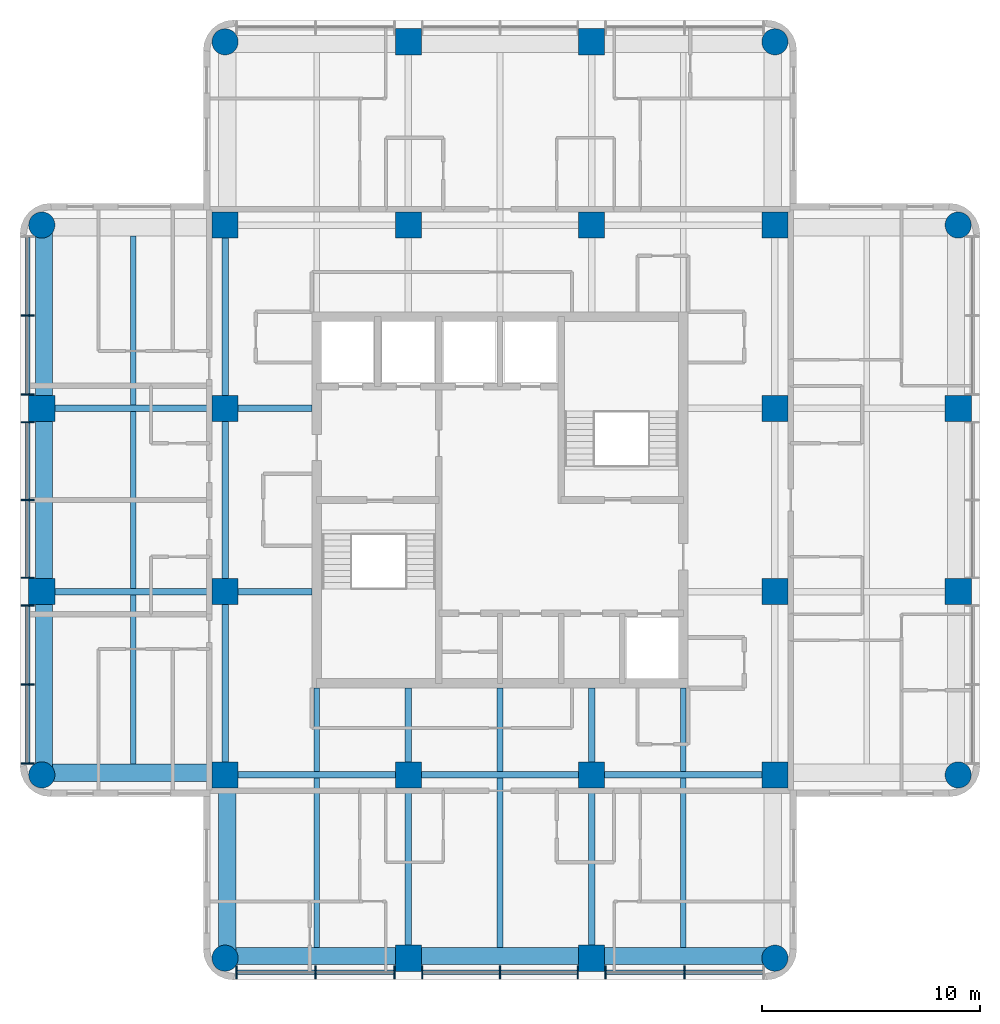
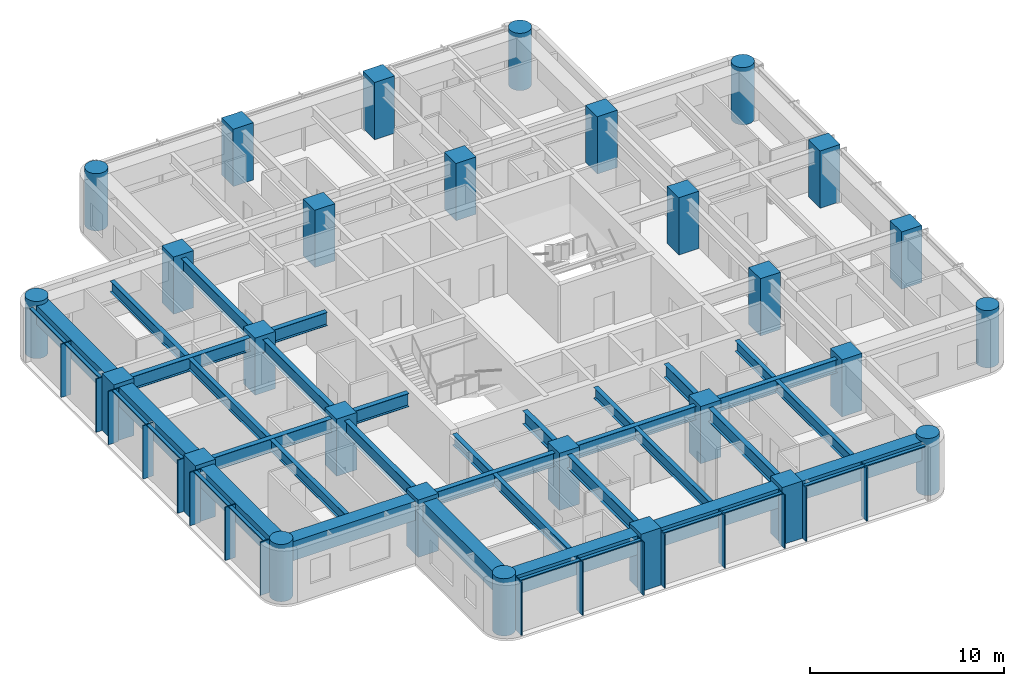
# One storey, part 1 of 10: 31 beams, 28 columns, 28 members, 2 elements without a shape of their own.
"""IFC4 building model written with IfcOpenShell, lengths in metres."""

import ifcopenshell
import ifcopenshell.guid

model = None  # the IFC model being written
_history = None  # IfcOwnerHistory: only IFC2X3 demands one
_inside = {}  # id of a spatial element -> (the spatial element, [elements in it])
_under = {}  # id of a project, library or spatial element -> (it, [spatial elements below it])
_declared = {}  # id of a project -> (the project, [libraries it declares])
_typed = {}  # id of a type object -> (the type object, [elements of that type])
_made_of = {}  # id of a material, layer set ... -> (it, [elements and type objects made of it])


def new_model(schema):
    """Start an empty IFC model of exactly this schema.

    Asked for "IFC4X3", IfcOpenShell would pick the latest addendum, in which some entities
    have other attributes; the version numbers below select the first issue.
    IFC2X3 requires an IfcOwnerHistory on every rooted entity: one is made here for all.
    """
    global model, _history
    if schema == "IFC4X3":
        model = ifcopenshell.file(schema_version=(4, 3, 0, 0))
    else:
        model = ifcopenshell.file(schema=schema)
    _inside.clear()
    _under.clear()
    _declared.clear()
    _typed.clear()
    _made_of.clear()
    _history = None
    if model.schema == "IFC2X3":
        org = make("IfcOrganization", Name="unknown")
        user = make(
            "IfcPersonAndOrganization",
            ThePerson=make("IfcPerson", FamilyName="unknown"),
            TheOrganization=org,
        )
        app = make(
            "IfcApplication",
            ApplicationDeveloper=org,
            Version="unknown",
            ApplicationFullName="unknown",
            ApplicationIdentifier="unknown",
        )
        _history = make(
            "IfcOwnerHistory",
            OwningUser=user,
            OwningApplication=app,
            ChangeAction="ADDED",
            CreationDate=0,
        )
    return model


def make(cls, **values):
    """One entity of the class cls with the attributes given. An attribute that is None is left unset."""
    return model.create_entity(
        cls, **{name: value for name, value in values.items() if value is not None}
    )


def rooted(cls, **values):
    """An entity with a GlobalId (a new one), such as an element, a storey or a relation."""
    return make(cls, GlobalId=ifcopenshell.guid.new(), OwnerHistory=_history, **values)


def si_unit(unit_type, name, prefix=None):
    """IfcSIUnit, for example si_unit("LENGTHUNIT", "METRE", prefix="MILLI")."""
    return make("IfcSIUnit", UnitType=unit_type, Prefix=prefix, Name=name)


def assignment(units):
    """IfcUnitAssignment: the units of a project."""
    return None if units is None else make("IfcUnitAssignment", Units=units)


def point(xyz):
    """IfcCartesianPoint."""
    return None if xyz is None else make("IfcCartesianPoint", Coordinates=xyz)


def direction(xyz):
    """IfcDirection."""
    return None if xyz is None else make("IfcDirection", DirectionRatios=xyz)


def frame(location, z_axis=None, x_axis=None):
    """IfcAxis2Placement3D, a coordinate frame: its origin and axes. An axis left out is left unset."""
    return make(
        "IfcAxis2Placement3D",
        Location=point(location),
        Axis=direction(z_axis),
        RefDirection=direction(x_axis),
    )


def frame_2d(location, x_axis=None):
    """IfcAxis2Placement2D, a coordinate frame in the plane: its origin and x axis."""
    return make(
        "IfcAxis2Placement2D", Location=point(location), RefDirection=direction(x_axis)
    )


def origin():
    """The frame at (0, 0, 0) with its axes left unset."""
    return frame((0.0, 0.0, 0.0))


def origin_2d():
    """The frame at (0, 0) in the plane with its x axis left unset."""
    return frame_2d((0.0, 0.0))


def place(relative_to, where):
    """IfcLocalPlacement: puts the frame where relative to a parent placement (None: the world)."""
    return make(
        "IfcLocalPlacement", PlacementRelTo=relative_to, RelativePlacement=where
    )


def context(
    kind, dimensions, precision=None, world=None, true_north=None, identifier=None
):
    """IfcGeometricRepresentationContext, for example the 3D "Model" context."""
    return make(
        "IfcGeometricRepresentationContext",
        ContextIdentifier=identifier,
        ContextType=kind,
        CoordinateSpaceDimension=dimensions,
        Precision=precision,
        WorldCoordinateSystem=world,
        TrueNorth=true_north,
    )


def subcontext(parent, identifier, kind, view, scale=None):
    """IfcGeometricRepresentationSubContext, for example "Body" below "Model"."""
    return make(
        "IfcGeometricRepresentationSubContext",
        ContextIdentifier=identifier,
        ContextType=kind,
        ParentContext=parent,
        TargetScale=scale,
        TargetView=view,
    )


def project(units=None, contexts=None):
    """IfcProject with its units and contexts."""
    return rooted(
        "IfcProject",
        Name="project",
        RepresentationContexts=contexts,
        UnitsInContext=assignment(units),
    )


def spatial(cls, under=None, at=None, **own):
    """A site, building, storey or space (cls), placed at a placement, below another one or the project."""
    s = rooted(cls, ObjectPlacement=at, **own)
    if under is not None:
        _under.setdefault(under.id(), (under, []))[1].append(s)
    return s


def profile(cls, at=None, kind="AREA", **sizes):
    """A parametric profile (cls). Its sizes go by their IFC names, for example OverallWidth=200.0."""
    return make(cls, ProfileType=kind, Position=at, **sizes)


def rectangle(**sizes):
    """IfcRectangleProfileDef."""
    return profile("IfcRectangleProfileDef", **sizes)


def circle(**sizes):
    """IfcCircleProfileDef."""
    return profile("IfcCircleProfileDef", **sizes)


def i_section(**sizes):
    """IfcIShapeProfileDef."""
    return profile("IfcIShapeProfileDef", **sizes)


def extrude(swept, where, along, depth):
    """IfcExtrudedAreaSolid: the profile swept, set in the frame where, extruded along a direction by depth."""
    return make(
        "IfcExtrudedAreaSolid",
        SweptArea=swept,
        Position=where,
        ExtrudedDirection=direction(along),
        Depth=depth,
    )


def shape(context_of_items, identifier, shape_type, items):
    """IfcShapeRepresentation: the items that make up one representation, for example the "Body"."""
    return make(
        "IfcShapeRepresentation",
        ContextOfItems=context_of_items,
        RepresentationIdentifier=identifier,
        RepresentationType=shape_type,
        Items=items,
    )


def material(Name=None, Category=None):
    """IfcMaterial."""
    return make("IfcMaterial", Name=Name, Category=Category)


def material_profile(
    of_material, cross_section, Name=None, Category=None, Priority=None
):
    """IfcMaterialProfile: a cross section and its material."""
    return make(
        "IfcMaterialProfile",
        Name=Name,
        Material=of_material,
        Profile=cross_section,
        Priority=Priority,
        Category=Category,
    )


def profile_set(profiles, Name=None, composite=None):
    """IfcMaterialProfileSet."""
    return make(
        "IfcMaterialProfileSet",
        Name=Name,
        MaterialProfiles=profiles,
        CompositeProfile=composite,
    )


def made_of(thing, what):
    """Note that an element or type object is made of a material, layer set ...; save() writes the relation."""
    if what is not None:
        _made_of.setdefault(what.id(), (what, []))[1].append(thing)
    return thing


def type_object(cls, material=None, **own):
    """A type object (cls), such as IfcWallType, which elements share."""
    return made_of(rooted(cls, **own), material)


def element(
    cls,
    number,
    at=None,
    inside=None,
    cuts=None,
    type_object=None,
    material=None,
    context=None,
    identifier="Body",
    shape_type=None,
    held_by="IfcProductDefinitionShape",
    body=None,
    shapes=None,
    **own,
):
    """One element of the class cls, such as IfcWall. Its Tag is "e" and its number.

    at: its placement. inside: the storey or other place that contains it. cuts: it is an
    opening in that element (IfcRelVoidsElement). A single representation is given by context,
    identifier, shape_type and body (its items); several are given by shapes. held_by: the class
    of the entity that holds the representations. save() writes the other relations.
    """
    e = rooted(cls, Tag="e%d" % number, ObjectPlacement=at, **own)
    if body is not None:
        shapes = [shape(context, identifier, shape_type, body)]
    if shapes is not None:
        e.Representation = make(held_by, Representations=shapes)
    if inside is not None:
        _inside.setdefault(inside.id(), (inside, []))[1].append(e)
    if cuts is not None:
        rooted(
            "IfcRelVoidsElement", RelatingBuildingElement=cuts, RelatedOpeningElement=e
        )
    if type_object is not None:
        _typed.setdefault(type_object.id(), (type_object, []))[1].append(e)
    return made_of(e, material)


def aggregate(whole, parts):
    """IfcRelAggregates: a whole, such as a stair, and the parts it consists of."""
    return rooted("IfcRelAggregates", RelatingObject=whole, RelatedObjects=parts)


def save(model, path):
    """Write the relations noted so far, then the file.

    IfcRelAggregates (storeys below a building ...), IfcRelContainedInSpatialStructure (elements
    in a storey), IfcRelDefinesByType, IfcRelAssociatesMaterial and IfcRelDeclares: one each for
    every whole, place, type object, material and project.
    """
    for whole, parts in _under.values():
        aggregate(whole, parts)
    for where, things in _inside.values():
        rooted(
            "IfcRelContainedInSpatialStructure",
            RelatedElements=things,
            RelatingStructure=where,
        )
    for kind, things in _typed.values():
        rooted("IfcRelDefinesByType", RelatedObjects=things, RelatingType=kind)
    for what, things in _made_of.values():
        rooted("IfcRelAssociatesMaterial", RelatedObjects=things, RelatingMaterial=what)
    for by, libraries in _declared.values():
        rooted("IfcRelDeclares", RelatingContext=by, RelatedDefinitions=libraries)
    model.write(path)


model = new_model("IFC4")

# Units and contexts
model_context = context("Model", 3, precision=1e-05, world=origin(), true_north=direction((0.0, 1.0)))
body_context = subcontext(model_context, "Body", "Model", "MODEL_VIEW")
ifc_project = project(units=[si_unit("LENGTHUNIT", "METRE"), si_unit("AREAUNIT", "SQUARE_METRE"), si_unit("VOLUMEUNIT", "CUBIC_METRE"), si_unit("PLANEANGLEUNIT", "RADIAN"), si_unit("MASSUNIT", "GRAM", prefix="KILO")], contexts=[model_context])

# Site, building, storey
site_placement = place(None, origin())
site = spatial("IfcSite", under=ifc_project, at=site_placement, CompositionType="ELEMENT")
building_placement = place(site_placement, origin())
building = spatial("IfcBuilding", under=site, at=building_placement, Name="Torre Alcanfor", CompositionType="ELEMENT")
storey_placement = place(building_placement, frame((0.0, 0.0, 297.300048828125)))
storey = spatial("IfcBuildingStorey", under=building, at=storey_placement, Name="L78", CompositionType="ELEMENT", Elevation=297.300048828125)

# Columns
ifc_material_1 = material(Name="Concrete f'c 70 MPa", Category="concrete")
ifc_material_profile_1 = material_profile(ifc_material_1, rectangle(XDim=1.199951171875, YDim=1.199951171875, at=origin_2d()), Name="1200x1200")
ifc_profile_set_1 = profile_set([ifc_material_profile_1], Name="Concrete f'c 70 MPa")
column_type_1 = type_object("IfcColumnType", Name="RC column 1200x1200 f'c70", PredefinedType="COLUMN", material=ifc_profile_set_1)
for number, where, z_axis, x_axis, name in (
    (1, (8.39990234375, 25.199951171875, 0.0), (0.0, 0.0, 1.0), (1.0, 0.0, 0.0), "Column 2/F L78"),
    (2, (8.39990234375, 33.60009765625, 0.0), (0.0, 0.0, 1.0), (1.0, 0.0, 0.0), "Column 2/G L78"),
    (3, (16.800048828125, 16.800048828125, 0.0), (0.0, 0.0, 1.0), (1.0, 0.0, 0.0), "Column 3/E L78"),
    (4, (16.800048828125, 25.199951171875, 0.0), (0.0, 0.0, 1.0), (1.0, 0.0, 0.0), "Column 3/F L78"),
    (5, (16.800048828125, 33.60009765625, 0.0), (0.0, 0.0, 1.0), (1.0, 0.0, 0.0), "Column 3/G L78"),
    (6, (16.800048828125, 42.0, 0.0), (0.0, 0.0, 1.0), (1.0, 0.0, 0.0), "Column 3/H L78"),
    (7, (25.199951171875, 8.39990234375, 0.0), (0.0, 0.0, 1.0), (1.0, 0.0, 0.0), "Column 4/D L78"),
    (8, (25.199951171875, 16.800048828125, 0.0), (0.0, 0.0, 1.0), (1.0, 0.0, 0.0), "Column 4/E L78"),
    (9, (25.199951171875, 42.0, 0.0), (0.0, 0.0, 1.0), (1.0, 0.0, 0.0), "Column 4/H L78"),
    (10, (25.199951171875, 50.39990234375, 0.0), (0.0, 0.0, 1.0), (1.0, 0.0, 0.0), "Column 4/J L78"),
    (11, (33.60009765625, 8.39990234375, 0.0), (0.0, 0.0, 1.0), (1.0, 0.0, 0.0), "Column 5/D L78"),
    (12, (33.60009765625, 16.800048828125, 0.0), (0.0, 0.0, 1.0), (1.0, 0.0, 0.0), "Column 5/E L78"),
    (13, (33.60009765625, 42.0, 0.0), (0.0, 0.0, 1.0), (1.0, 0.0, 0.0), "Column 5/H L78"),
    (14, (33.60009765625, 50.39990234375, 0.0), (0.0, 0.0, 1.0), (1.0, 0.0, 0.0), "Column 5/J L78"),
    (15, (42.0, 16.800048828125, 0.0), (0.0, 0.0, 1.0), (1.0, 0.0, 0.0), "Column 6/E L78"),
    (16, (42.0, 25.199951171875, 0.0), (0.0, 0.0, 1.0), (1.0, 0.0, 0.0), "Column 6/F L78"),
    (17, (42.0, 33.60009765625, 0.0), (0.0, 0.0, 1.0), (1.0, 0.0, 0.0), "Column 6/G L78"),
    (18, (42.0, 42.0, 0.0), (0.0, 0.0, 1.0), (1.0, 0.0, 0.0), "Column 6/H L78"),
    (19, (50.39990234375, 25.199951171875, 0.0), (0.0, 0.0, 1.0), (1.0, 0.0, 0.0), "Column 7/F L78"),
    (20, (50.39990234375, 33.60009765625, 0.0), (0.0, 0.0, 1.0), (1.0, 0.0, 0.0), "Column 7/G L78"),
):
    element("IfcColumn", number, at=place(storey_placement, frame(where, z_axis=z_axis, x_axis=x_axis)), inside=storey, type_object=column_type_1, Name=name, PredefinedType="COLUMN", context=body_context, shape_type="SweptSolid", body=[
        extrude(rectangle(XDim=1.199951171875, YDim=1.199951171875, at=origin_2d()), origin(), (0.0, 0.0, 1.0), 3.599853515625),
    ])
ifc_material_2 = material(Name="Concrete f'c 70 MPa", Category="concrete")
ifc_material_profile_2 = material_profile(ifc_material_2, circle(Radius=0.60009765625, at=origin_2d()), Name="D1200")
ifc_profile_set_2 = profile_set([ifc_material_profile_2], Name="Concrete f'c 70 MPa")
column_type_2 = type_object("IfcColumnType", Name="RC column D1200 f'c70", PredefinedType="COLUMN", material=ifc_profile_set_2)
for number, where, z_axis, x_axis, name in (
    (21, (8.39990234375, 16.800048828125, 0.0), (0.0, 0.0, 1.0), (1.0, 0.0, 0.0), "Column 2/E L78"),
    (22, (8.39990234375, 42.0, 0.0), (0.0, 0.0, 1.0), (1.0, 0.0, 0.0), "Column 2/H L78"),
    (23, (16.800048828125, 8.39990234375, 0.0), (0.0, 0.0, 1.0), (1.0, 0.0, 0.0), "Column 3/D L78"),
    (24, (16.800048828125, 50.39990234375, 0.0), (0.0, 0.0, 1.0), (1.0, 0.0, 0.0), "Column 3/J L78"),
    (25, (42.0, 8.39990234375, 0.0), (0.0, 0.0, 1.0), (1.0, 0.0, 0.0), "Column 6/D L78"),
    (26, (42.0, 50.39990234375, 0.0), (0.0, 0.0, 1.0), (1.0, 0.0, 0.0), "Column 6/J L78"),
    (27, (50.39990234375, 16.800048828125, 0.0), (0.0, 0.0, 1.0), (1.0, 0.0, 0.0), "Column 7/E L78"),
    (28, (50.39990234375, 42.0, 0.0), (0.0, 0.0, 1.0), (1.0, 0.0, 0.0), "Column 7/H L78"),
):
    element("IfcColumn", number, at=place(storey_placement, frame(where, z_axis=z_axis, x_axis=x_axis)), inside=storey, type_object=column_type_2, Name=name, PredefinedType="COLUMN", context=body_context, shape_type="SweptSolid", body=[
        extrude(circle(Radius=0.60009765625, at=origin_2d()), origin(), (0.0, 0.0, 1.0), 3.599853515625),
    ])

# Curtain wall, members
ifc_material_3 = material(Name="Aluminium and glass", Category="aluminium")
curtain_wall_type = type_object("IfcCurtainWallType", Name="CW-A unitised apartment glazing with vertical FIN", PredefinedType="NOTDEFINED", material=ifc_material_3)
curtain_wall_1_placement = place(storey_placement, origin())
curtain_wall_1 = element("IfcCurtainWall", 29, at=curtain_wall_1_placement, inside=storey, type_object=curtain_wall_type, Name="Curtain wall CW-A L78 2", PredefinedType="NOTDEFINED")
ifc_material_4 = material(Name="Bronze anodised aluminium", Category="aluminium")
ifc_material_profile_3 = material_profile(ifc_material_4, rectangle(XDim=0.60009765625, YDim=0.06494140625, at=origin_2d()), Name="CW-A mullion 65x600")
ifc_profile_set_3 = profile_set([ifc_material_profile_3], Name="Bronze anodised aluminium")
member_type_1 = type_object("IfcMemberType", Name="CW-A mullion with vertical FIN 65x600", PredefinedType="MULLION", material=ifc_profile_set_3)
member_1_placement = place(storey_placement, frame((7.75, 37.855712890625, 0.0), z_axis=(0.0, 0.0, 1.0), x_axis=(1.0, 0.0, 0.0)))
member_1 = element("IfcMember", 30, at=member_1_placement, type_object=member_type_1, Name="CW-A mullion 1.2", PredefinedType="MULLION", context=body_context, shape_type="SweptSolid", body=[
    extrude(rectangle(XDim=0.60009765625, YDim=0.06494140625, at=origin_2d()), origin(), (0.0, 0.0, 1.0), 3.349853515625),
])
member_2_placement = place(storey_placement, frame((7.75, 34.237548828125, 0.0), z_axis=(0.0, 0.0, 1.0), x_axis=(1.0, 0.0, 0.0)))
member_2 = element("IfcMember", 31, at=member_2_placement, type_object=member_type_1, Name="CW-A mullion 1.3", PredefinedType="MULLION", context=body_context, shape_type="SweptSolid", body=[
    extrude(rectangle(XDim=0.60009765625, YDim=0.06494140625, at=origin_2d()), origin(), (0.0, 0.0, 1.0), 3.349853515625),
])
member_3_placement = place(storey_placement, frame((7.75, 32.96240234375, 0.0), z_axis=(0.0, 0.0, 1.0), x_axis=(1.0, 0.0, 0.0)))
member_3 = element("IfcMember", 32, at=member_3_placement, type_object=member_type_1, Name="CW-A mullion 2.1", PredefinedType="MULLION", context=body_context, shape_type="SweptSolid", body=[
    extrude(rectangle(XDim=0.60009765625, YDim=0.06494140625, at=origin_2d()), origin(), (0.0, 0.0, 1.0), 3.349853515625),
])
member_4_placement = place(storey_placement, frame((7.75, 29.39990234375, 0.0), z_axis=(0.0, 0.0, 1.0), x_axis=(1.0, 0.0, 0.0)))
member_4 = element("IfcMember", 33, at=member_4_placement, type_object=member_type_1, Name="CW-A mullion 2.2", PredefinedType="MULLION", context=body_context, shape_type="SweptSolid", body=[
    extrude(rectangle(XDim=0.60009765625, YDim=0.06494140625, at=origin_2d()), origin(), (0.0, 0.0, 1.0), 3.349853515625),
])
member_5_placement = place(storey_placement, frame((7.75, 25.83740234375, 0.0), z_axis=(0.0, 0.0, 1.0), x_axis=(1.0, 0.0, 0.0)))
member_5 = element("IfcMember", 34, at=member_5_placement, type_object=member_type_1, Name="CW-A mullion 2.3", PredefinedType="MULLION", context=body_context, shape_type="SweptSolid", body=[
    extrude(rectangle(XDim=0.60009765625, YDim=0.06494140625, at=origin_2d()), origin(), (0.0, 0.0, 1.0), 3.349853515625),
])
member_6_placement = place(storey_placement, frame((7.75, 24.5625, 0.0), z_axis=(0.0, 0.0, 1.0), x_axis=(1.0, 0.0, 0.0)))
member_6 = element("IfcMember", 35, at=member_6_placement, type_object=member_type_1, Name="CW-A mullion 3.1", PredefinedType="MULLION", context=body_context, shape_type="SweptSolid", body=[
    extrude(rectangle(XDim=0.60009765625, YDim=0.06494140625, at=origin_2d()), origin(), (0.0, 0.0, 1.0), 3.349853515625),
])
member_7_placement = place(storey_placement, frame((7.75, 20.9443359375, 0.0), z_axis=(0.0, 0.0, 1.0), x_axis=(1.0, 0.0, 0.0)))
member_7 = element("IfcMember", 36, at=member_7_placement, type_object=member_type_1, Name="CW-A mullion 3.2", PredefinedType="MULLION", context=body_context, shape_type="SweptSolid", body=[
    extrude(rectangle(XDim=0.60009765625, YDim=0.06494140625, at=origin_2d()), origin(), (0.0, 0.0, 1.0), 3.349853515625),
])
member_8_placement = place(storey_placement, frame((7.75, 17.325927734375, 0.0), z_axis=(0.0, 0.0, 1.0), x_axis=(1.0, 0.0, 0.0)))
member_8 = element("IfcMember", 37, at=member_8_placement, type_object=member_type_1, Name="CW-A mullion 3.3", PredefinedType="MULLION", context=body_context, shape_type="SweptSolid", body=[
    extrude(rectangle(XDim=0.60009765625, YDim=0.06494140625, at=origin_2d()), origin(), (0.0, 0.0, 1.0), 3.349853515625),
])

curtain_wall_2_placement = place(storey_placement, origin())
curtain_wall_2 = element("IfcCurtainWall", 38, at=curtain_wall_2_placement, inside=storey, type_object=curtain_wall_type, Name="Curtain wall CW-A L78 5", PredefinedType="NOTDEFINED")
member_9_placement = place(storey_placement, frame((17.325927734375, 7.75, 0.0), z_axis=(0.0, 0.0, 1.0), x_axis=(0.0, 1.0, 0.0)))
member_9 = element("IfcMember", 39, at=member_9_placement, type_object=member_type_1, Name="CW-A mullion 1.1", PredefinedType="MULLION", context=body_context, shape_type="SweptSolid", body=[
    extrude(rectangle(XDim=0.60009765625, YDim=0.06494140625, at=origin_2d()), origin(), (0.0, 0.0, 1.0), 3.349853515625),
])
member_10_placement = place(storey_placement, frame((20.9443359375, 7.75, 0.0), z_axis=(0.0, 0.0, 1.0), x_axis=(0.0, 1.0, 0.0)))
member_10 = element("IfcMember", 40, at=member_10_placement, type_object=member_type_1, Name="CW-A mullion 1.2", PredefinedType="MULLION", context=body_context, shape_type="SweptSolid", body=[
    extrude(rectangle(XDim=0.60009765625, YDim=0.06494140625, at=origin_2d()), origin(), (0.0, 0.0, 1.0), 3.349853515625),
])
member_11_placement = place(storey_placement, frame((24.5625, 7.75, 0.0), z_axis=(0.0, 0.0, 1.0), x_axis=(0.0, 1.0, 0.0)))
member_11 = element("IfcMember", 41, at=member_11_placement, type_object=member_type_1, Name="CW-A mullion 1.3", PredefinedType="MULLION", context=body_context, shape_type="SweptSolid", body=[
    extrude(rectangle(XDim=0.60009765625, YDim=0.06494140625, at=origin_2d()), origin(), (0.0, 0.0, 1.0), 3.349853515625),
])
member_12_placement = place(storey_placement, frame((25.83740234375, 7.75, 0.0), z_axis=(0.0, 0.0, 1.0), x_axis=(0.0, 1.0, 0.0)))
member_12 = element("IfcMember", 42, at=member_12_placement, type_object=member_type_1, Name="CW-A mullion 2.1", PredefinedType="MULLION", context=body_context, shape_type="SweptSolid", body=[
    extrude(rectangle(XDim=0.60009765625, YDim=0.06494140625, at=origin_2d()), origin(), (0.0, 0.0, 1.0), 3.349853515625),
])
member_13_placement = place(storey_placement, frame((29.39990234375, 7.75, 0.0), z_axis=(0.0, 0.0, 1.0), x_axis=(0.0, 1.0, 0.0)))
member_13 = element("IfcMember", 43, at=member_13_placement, type_object=member_type_1, Name="CW-A mullion 2.2", PredefinedType="MULLION", context=body_context, shape_type="SweptSolid", body=[
    extrude(rectangle(XDim=0.60009765625, YDim=0.06494140625, at=origin_2d()), origin(), (0.0, 0.0, 1.0), 3.349853515625),
])
member_14_placement = place(storey_placement, frame((32.96240234375, 7.75, 0.0), z_axis=(0.0, 0.0, 1.0), x_axis=(0.0, 1.0, 0.0)))
member_14 = element("IfcMember", 44, at=member_14_placement, type_object=member_type_1, Name="CW-A mullion 2.3", PredefinedType="MULLION", context=body_context, shape_type="SweptSolid", body=[
    extrude(rectangle(XDim=0.60009765625, YDim=0.06494140625, at=origin_2d()), origin(), (0.0, 0.0, 1.0), 3.349853515625),
])
member_15_placement = place(storey_placement, frame((34.237548828125, 7.75, 0.0), z_axis=(0.0, 0.0, 1.0), x_axis=(0.0, 1.0, 0.0)))
member_15 = element("IfcMember", 45, at=member_15_placement, type_object=member_type_1, Name="CW-A mullion 3.1", PredefinedType="MULLION", context=body_context, shape_type="SweptSolid", body=[
    extrude(rectangle(XDim=0.60009765625, YDim=0.06494140625, at=origin_2d()), origin(), (0.0, 0.0, 1.0), 3.349853515625),
])
member_16_placement = place(storey_placement, frame((37.855712890625, 7.75, 0.0), z_axis=(0.0, 0.0, 1.0), x_axis=(0.0, 1.0, 0.0)))
member_16 = element("IfcMember", 46, at=member_16_placement, type_object=member_type_1, Name="CW-A mullion 3.2", PredefinedType="MULLION", context=body_context, shape_type="SweptSolid", body=[
    extrude(rectangle(XDim=0.60009765625, YDim=0.06494140625, at=origin_2d()), origin(), (0.0, 0.0, 1.0), 3.349853515625),
])

# Member
ifc_material_5 = material(Name="Extruded aluminium", Category="aluminium")
ifc_material_profile_4 = material_profile(ifc_material_5, rectangle(XDim=0.199951171875, YDim=0.06494140625, at=origin_2d()), Name="CW-A transom 200x65")
ifc_profile_set_4 = profile_set([ifc_material_profile_4], Name="Extruded aluminium")
member_type_2 = type_object("IfcMemberType", Name="CW-A transom 65x200", PredefinedType="USERDEFINED", material=ifc_profile_set_4)
member_17_placement = place(storey_placement, frame((7.75, 41.44140625, 3.3173828125), z_axis=(0.0, -1.0, 0.0), x_axis=(1.0, 0.0, 0.0)))
member_17 = element("IfcMember", 47, at=member_17_placement, type_object=member_type_2, Name="CW-A transom 1.1.2", ObjectType="TRANSOM", PredefinedType="USERDEFINED", context=body_context, shape_type="SweptSolid", body=[
    extrude(rectangle(XDim=0.199951171875, YDim=0.06494140625, at=origin_2d()), origin(), (0.0, 0.0, 1.0), 3.55322265625),
])

member_18_placement = place(storey_placement, frame((7.75, 37.8232421875, 3.3173828125), z_axis=(0.0, -1.0, 0.0), x_axis=(1.0, 0.0, 0.0)))
member_18 = element("IfcMember", 48, at=member_18_placement, type_object=member_type_2, Name="CW-A transom 1.2.2", ObjectType="TRANSOM", PredefinedType="USERDEFINED", context=body_context, shape_type="SweptSolid", body=[
    extrude(rectangle(XDim=0.199951171875, YDim=0.06494140625, at=origin_2d()), origin(), (0.0, 0.0, 1.0), 3.55322265625),
])

member_19_placement = place(storey_placement, frame((7.75, 32.929931640625, 3.3173828125), z_axis=(0.0, -1.0, 0.0), x_axis=(1.0, 0.0, 0.0)))
member_19 = element("IfcMember", 49, at=member_19_placement, type_object=member_type_2, Name="CW-A transom 2.1.2", ObjectType="TRANSOM", PredefinedType="USERDEFINED", context=body_context, shape_type="SweptSolid", body=[
    extrude(rectangle(XDim=0.199951171875, YDim=0.06494140625, at=origin_2d()), origin(), (0.0, 0.0, 1.0), 3.497314453125),
])

member_20_placement = place(storey_placement, frame((7.75, 29.367431640625, 3.3173828125), z_axis=(0.0, -1.0, 0.0), x_axis=(1.0, 0.0, 0.0)))
member_20 = element("IfcMember", 50, at=member_20_placement, type_object=member_type_2, Name="CW-A transom 2.2.2", ObjectType="TRANSOM", PredefinedType="USERDEFINED", context=body_context, shape_type="SweptSolid", body=[
    extrude(rectangle(XDim=0.199951171875, YDim=0.06494140625, at=origin_2d()), origin(), (0.0, 0.0, 1.0), 3.497314453125),
])

member_21_placement = place(storey_placement, frame((7.75, 24.530029296875, 3.3173828125), z_axis=(0.0, -1.0, 0.0), x_axis=(1.0, 0.0, 0.0)))
member_21 = element("IfcMember", 51, at=member_21_placement, type_object=member_type_2, Name="CW-A transom 3.1.2", ObjectType="TRANSOM", PredefinedType="USERDEFINED", context=body_context, shape_type="SweptSolid", body=[
    extrude(rectangle(XDim=0.199951171875, YDim=0.06494140625, at=origin_2d()), origin(), (0.0, 0.0, 1.0), 3.55322265625),
])

member_22_placement = place(storey_placement, frame((7.75, 20.911865234375, 3.3173828125), z_axis=(0.0, -1.0, 0.0), x_axis=(1.0, 0.0, 0.0)))
member_22 = element("IfcMember", 52, at=member_22_placement, type_object=member_type_2, Name="CW-A transom 3.2.2", ObjectType="TRANSOM", PredefinedType="USERDEFINED", context=body_context, shape_type="SweptSolid", body=[
    extrude(rectangle(XDim=0.199951171875, YDim=0.06494140625, at=origin_2d()), origin(), (0.0, 0.0, 1.0), 3.553466796875),
])

aggregate(curtain_wall_1, [member_1, member_2, member_17, member_18, member_3, member_4, member_5, member_19, member_20, member_6, member_7, member_8, member_21, member_22])

member_23_placement = place(storey_placement, frame((17.3583984375, 7.75, 3.3173828125), z_axis=(1.0, 0.0, 0.0), x_axis=(0.0, 1.0, 0.0)))
member_23 = element("IfcMember", 53, at=member_23_placement, type_object=member_type_2, Name="CW-A transom 1.1.2", ObjectType="TRANSOM", PredefinedType="USERDEFINED", context=body_context, shape_type="SweptSolid", body=[
    extrude(rectangle(XDim=0.199951171875, YDim=0.06494140625, at=origin_2d()), origin(), (0.0, 0.0, 1.0), 3.553466796875),
])

member_24_placement = place(storey_placement, frame((20.976806640625, 7.75, 3.3173828125), z_axis=(1.0, 0.0, 0.0), x_axis=(0.0, 1.0, 0.0)))
member_24 = element("IfcMember", 54, at=member_24_placement, type_object=member_type_2, Name="CW-A transom 1.2.2", ObjectType="TRANSOM", PredefinedType="USERDEFINED", context=body_context, shape_type="SweptSolid", body=[
    extrude(rectangle(XDim=0.199951171875, YDim=0.06494140625, at=origin_2d()), origin(), (0.0, 0.0, 1.0), 3.55322265625),
])

member_25_placement = place(storey_placement, frame((25.8701171875, 7.75, 3.3173828125), z_axis=(1.0, 0.0, 0.0), x_axis=(0.0, 1.0, 0.0)))
member_25 = element("IfcMember", 55, at=member_25_placement, type_object=member_type_2, Name="CW-A transom 2.1.2", ObjectType="TRANSOM", PredefinedType="USERDEFINED", context=body_context, shape_type="SweptSolid", body=[
    extrude(rectangle(XDim=0.199951171875, YDim=0.06494140625, at=origin_2d()), origin(), (0.0, 0.0, 1.0), 3.497314453125),
])

member_26_placement = place(storey_placement, frame((29.4326171875, 7.75, 3.3173828125), z_axis=(1.0, 0.0, 0.0), x_axis=(0.0, 1.0, 0.0)))
member_26 = element("IfcMember", 56, at=member_26_placement, type_object=member_type_2, Name="CW-A transom 2.2.2", ObjectType="TRANSOM", PredefinedType="USERDEFINED", context=body_context, shape_type="SweptSolid", body=[
    extrude(rectangle(XDim=0.199951171875, YDim=0.06494140625, at=origin_2d()), origin(), (0.0, 0.0, 1.0), 3.497314453125),
])

member_27_placement = place(storey_placement, frame((34.27001953125, 7.75, 3.3173828125), z_axis=(1.0, 0.0, 0.0), x_axis=(0.0, 1.0, 0.0)))
member_27 = element("IfcMember", 57, at=member_27_placement, type_object=member_type_2, Name="CW-A transom 3.1.2", ObjectType="TRANSOM", PredefinedType="USERDEFINED", context=body_context, shape_type="SweptSolid", body=[
    extrude(rectangle(XDim=0.199951171875, YDim=0.06494140625, at=origin_2d()), origin(), (0.0, 0.0, 1.0), 3.55322265625),
])

member_28_placement = place(storey_placement, frame((37.88818359375, 7.75, 3.3173828125), z_axis=(1.0, 0.0, 0.0), x_axis=(0.0, 1.0, 0.0)))
member_28 = element("IfcMember", 58, at=member_28_placement, type_object=member_type_2, Name="CW-A transom 3.2.2", ObjectType="TRANSOM", PredefinedType="USERDEFINED", context=body_context, shape_type="SweptSolid", body=[
    extrude(rectangle(XDim=0.199951171875, YDim=0.06494140625, at=origin_2d()), origin(), (0.0, 0.0, 1.0), 3.55322265625),
])

aggregate(curtain_wall_2, [member_9, member_10, member_11, member_23, member_24, member_12, member_13, member_14, member_25, member_26, member_15, member_16, member_27, member_28])

# Beams
ifc_material_6 = material(Name="Steel ASTM A992 Grade 50", Category="steel")
ifc_material_profile_5 = material_profile(ifc_material_6, i_section(OverallWidth=0.2919921875, OverallDepth=0.8408203125, WebThickness=0.0146484375, FlangeThickness=0.021728515625, at=origin_2d()), Name="W33x130")
ifc_profile_set_5 = profile_set([ifc_material_profile_5], Name="Steel ASTM A992 Grade 50")
beam_type_1 = type_object("IfcBeamType", Name="Girder W33x130", PredefinedType="BEAM", material=ifc_profile_set_5)
beam_1_placement = place(storey_placement, frame((16.800048828125, 16.800048828125, 2.9296875), z_axis=(1.0, 0.0, 0.0), x_axis=(0.0, 1.0, 0.0)))
element("IfcBeam", 59, at=beam_1_placement, inside=storey, type_object=beam_type_1, Name="Beam 3E-4E under L79", PredefinedType="BEAM", context=body_context, shape_type="SweptSolid", body=[
    extrude(i_section(OverallWidth=0.2919921875, OverallDepth=0.8408203125, WebThickness=0.0146484375, FlangeThickness=0.021728515625, at=origin_2d()), origin(), (0.0, 0.0, 1.0), 8.39990234375),
])
beam_2_placement = place(storey_placement, frame((25.199951171875, 16.800048828125, 2.9296875), z_axis=(1.0, 0.0, 0.0), x_axis=(0.0, 1.0, 0.0)))
element("IfcBeam", 60, at=beam_2_placement, inside=storey, type_object=beam_type_1, Name="Beam 4E-5E under L79", PredefinedType="BEAM", context=body_context, shape_type="SweptSolid", body=[
    extrude(i_section(OverallWidth=0.2919921875, OverallDepth=0.8408203125, WebThickness=0.0146484375, FlangeThickness=0.021728515625, at=origin_2d()), origin(), (0.0, 0.0, 1.0), 8.400146484375),
])
beam_3_placement = place(storey_placement, frame((33.60009765625, 16.800048828125, 2.9296875), z_axis=(1.0, 0.0, 0.0), x_axis=(0.0, 1.0, 0.0)))
element("IfcBeam", 61, at=beam_3_placement, inside=storey, type_object=beam_type_1, Name="Beam 5E-6E under L79", PredefinedType="BEAM", context=body_context, shape_type="SweptSolid", body=[
    extrude(i_section(OverallWidth=0.2919921875, OverallDepth=0.8408203125, WebThickness=0.0146484375, FlangeThickness=0.021728515625, at=origin_2d()), origin(), (0.0, 0.0, 1.0), 8.39990234375),
])
for number, where, z_axis, x_axis, name in (
    (62, (8.39990234375, 25.199951171875, 2.9296875), (1.0, 0.0, 0.0), (0.0, 1.0, 0.0), "Beam 2F-3F under L79"),
    (63, (8.39990234375, 33.60009765625, 2.9296875), (1.0, 0.0, 0.0), (0.0, 1.0, 0.0), "Beam 2G-3G under L79"),
):
    element("IfcBeam", number, at=place(storey_placement, frame(where, z_axis=z_axis, x_axis=x_axis)), inside=storey, type_object=beam_type_1, Name=name, PredefinedType="BEAM", context=body_context, shape_type="SweptSolid", body=[
        extrude(i_section(OverallWidth=0.2919921875, OverallDepth=0.8408203125, WebThickness=0.0146484375, FlangeThickness=0.021728515625, at=origin_2d()), origin(), (0.0, 0.0, 1.0), 8.400146484375),
    ])
beam_4_placement = place(storey_placement, frame((16.800048828125, 16.800048828125, 2.9296875), z_axis=(0.0, 1.0, 0.0), x_axis=(-1.0, 0.0, 0.0)))
element("IfcBeam", 64, at=beam_4_placement, inside=storey, type_object=beam_type_1, Name="Beam 3E-3F under L79", PredefinedType="BEAM", context=body_context, shape_type="SweptSolid", body=[
    extrude(i_section(OverallWidth=0.2919921875, OverallDepth=0.8408203125, WebThickness=0.0146484375, FlangeThickness=0.021728515625, at=origin_2d()), origin(), (0.0, 0.0, 1.0), 8.39990234375),
])
beam_5_placement = place(storey_placement, frame((16.800048828125, 25.199951171875, 2.9296875), z_axis=(0.0, 1.0, 0.0), x_axis=(-1.0, 0.0, 0.0)))
element("IfcBeam", 65, at=beam_5_placement, inside=storey, type_object=beam_type_1, Name="Beam 3F-3G under L79", PredefinedType="BEAM", context=body_context, shape_type="SweptSolid", body=[
    extrude(i_section(OverallWidth=0.2919921875, OverallDepth=0.8408203125, WebThickness=0.0146484375, FlangeThickness=0.021728515625, at=origin_2d()), origin(), (0.0, 0.0, 1.0), 8.400146484375),
])
beam_6_placement = place(storey_placement, frame((16.800048828125, 33.60009765625, 2.9296875), z_axis=(0.0, 1.0, 0.0), x_axis=(-1.0, 0.0, 0.0)))
element("IfcBeam", 66, at=beam_6_placement, inside=storey, type_object=beam_type_1, Name="Beam 3G-3H under L79", PredefinedType="BEAM", context=body_context, shape_type="SweptSolid", body=[
    extrude(i_section(OverallWidth=0.2919921875, OverallDepth=0.8408203125, WebThickness=0.0146484375, FlangeThickness=0.021728515625, at=origin_2d()), origin(), (0.0, 0.0, 1.0), 8.39990234375),
])
for number, where, z_axis, x_axis, name in (
    (67, (25.199951171875, 8.39990234375, 2.9296875), (0.0, 1.0, 0.0), (-1.0, 0.0, 0.0), "Beam 4D-4E under L79"),
    (68, (33.60009765625, 8.39990234375, 2.9296875), (0.0, 1.0, 0.0), (-1.0, 0.0, 0.0), "Beam 5D-5E under L79"),
):
    element("IfcBeam", number, at=place(storey_placement, frame(where, z_axis=z_axis, x_axis=x_axis)), inside=storey, type_object=beam_type_1, Name=name, PredefinedType="BEAM", context=body_context, shape_type="SweptSolid", body=[
        extrude(i_section(OverallWidth=0.2919921875, OverallDepth=0.8408203125, WebThickness=0.0146484375, FlangeThickness=0.021728515625, at=origin_2d()), origin(), (0.0, 0.0, 1.0), 8.400146484375),
    ])
ifc_material_7 = material(Name="Steel ASTM A992 Grade 50", Category="steel")
ifc_material_profile_6 = material_profile(ifc_material_7, i_section(OverallWidth=0.2919921875, OverallDepth=0.8408203125, WebThickness=0.0146484375, FlangeThickness=0.021728515625, at=origin_2d()), Name="W33x130")
ifc_profile_set_6 = profile_set([ifc_material_profile_6], Name="Steel ASTM A992 Grade 50")
beam_type_2 = type_object("IfcBeamType", Name="Girder, part bay W33x130", PredefinedType="BEAM", material=ifc_profile_set_6)
for number, where, z_axis, x_axis, name in (
    (69, (25.199951171875, 16.800048828125, 2.9296875), (0.0, 1.0, 0.0), (-1.0, 0.0, 0.0), "Beam 4E-420_775 under L79"),
    (70, (33.60009765625, 16.800048828125, 2.9296875), (0.0, 1.0, 0.0), (-1.0, 0.0, 0.0), "Beam 5E-520_775 under L79"),
    (71, (16.800048828125, 25.199951171875, 2.9296875), (1.0, 0.0, 0.0), (0.0, 1.0, 0.0), "Beam 3F-20_775F under L79"),
    (72, (16.800048828125, 33.60009765625, 2.9296875), (1.0, 0.0, 0.0), (0.0, 1.0, 0.0), "Beam 3G-20_775G under L79"),
):
    element("IfcBeam", number, at=place(storey_placement, frame(where, z_axis=z_axis, x_axis=x_axis)), inside=storey, type_object=beam_type_2, Name=name, PredefinedType="BEAM", context=body_context, shape_type="SweptSolid", body=[
        extrude(i_section(OverallWidth=0.2919921875, OverallDepth=0.8408203125, WebThickness=0.0146484375, FlangeThickness=0.021728515625, at=origin_2d()), origin(), (0.0, 0.0, 1.0), 3.974853515625),
    ])
ifc_material_8 = material(Name="Concrete f'c 70 MPa", Category="concrete")
ifc_material_profile_7 = material_profile(ifc_material_8, rectangle(XDim=0.800048828125, YDim=1.199951171875, at=origin_2d()), Name="800x1200")
ifc_profile_set_7 = profile_set([ifc_material_profile_7], Name="Concrete f'c 70 MPa")
beam_type_3 = type_object("IfcBeamType", Name="RC perimeter beam 800x1200", PredefinedType="BEAM", material=ifc_profile_set_7)
beam_7_placement = place(storey_placement, frame((16.800048828125, 8.5, 2.75), z_axis=(1.0, 0.0, 0.0), x_axis=(0.0, 1.0, 0.0)))
element("IfcBeam", 73, at=beam_7_placement, inside=storey, type_object=beam_type_3, Name="Beam 3D-4D under L79", PredefinedType="BEAM", context=body_context, shape_type="SweptSolid", body=[
    extrude(rectangle(XDim=0.800048828125, YDim=1.199951171875, at=origin_2d()), origin(), (0.0, 0.0, 1.0), 8.25390625),
])
beam_8_placement = place(storey_placement, frame((25.345947265625, 8.5, 2.75), z_axis=(1.0, 0.0, 0.0), x_axis=(0.0, 1.0, 0.0)))
element("IfcBeam", 74, at=beam_8_placement, inside=storey, type_object=beam_type_3, Name="Beam 4D-5D under L79", PredefinedType="BEAM", context=body_context, shape_type="SweptSolid", body=[
    extrude(rectangle(XDim=0.800048828125, YDim=1.199951171875, at=origin_2d()), origin(), (0.0, 0.0, 1.0), 8.108154296875),
])
beam_9_placement = place(storey_placement, frame((33.74609375, 8.5, 2.75), z_axis=(1.0, 0.0, 0.0), x_axis=(0.0, 1.0, 0.0)))
element("IfcBeam", 75, at=beam_9_placement, inside=storey, type_object=beam_type_3, Name="Beam 5D-6D under L79", PredefinedType="BEAM", context=body_context, shape_type="SweptSolid", body=[
    extrude(rectangle(XDim=0.800048828125, YDim=1.199951171875, at=origin_2d()), origin(), (0.0, 0.0, 1.0), 8.25390625),
])
beam_10_placement = place(storey_placement, frame((8.39990234375, 16.89990234375, 2.75), z_axis=(1.0, 0.0, 0.0), x_axis=(0.0, 1.0, 0.0)))
element("IfcBeam", 76, at=beam_10_placement, inside=storey, type_object=beam_type_3, Name="Beam 2E-3E under L79", PredefinedType="BEAM", context=body_context, shape_type="SweptSolid", body=[
    extrude(rectangle(XDim=0.800048828125, YDim=1.199951171875, at=origin_2d()), origin(), (0.0, 0.0, 1.0), 8.254150390625),
])
beam_11_placement = place(storey_placement, frame((8.5, 16.800048828125, 2.75), z_axis=(0.0, 1.0, 0.0), x_axis=(-1.0, 0.0, 0.0)))
element("IfcBeam", 77, at=beam_11_placement, inside=storey, type_object=beam_type_3, Name="Beam 2E-2F under L79", PredefinedType="BEAM", context=body_context, shape_type="SweptSolid", body=[
    extrude(rectangle(XDim=0.800048828125, YDim=1.199951171875, at=origin_2d()), origin(), (0.0, 0.0, 1.0), 8.25390625),
])
beam_12_placement = place(storey_placement, frame((8.5, 25.345947265625, 2.75), z_axis=(0.0, 1.0, 0.0), x_axis=(-1.0, 0.0, 0.0)))
element("IfcBeam", 78, at=beam_12_placement, inside=storey, type_object=beam_type_3, Name="Beam 2F-2G under L79", PredefinedType="BEAM", context=body_context, shape_type="SweptSolid", body=[
    extrude(rectangle(XDim=0.800048828125, YDim=1.199951171875, at=origin_2d()), origin(), (0.0, 0.0, 1.0), 8.108154296875),
])
beam_13_placement = place(storey_placement, frame((8.5, 33.74609375, 2.75), z_axis=(0.0, 1.0, 0.0), x_axis=(-1.0, 0.0, 0.0)))
element("IfcBeam", 79, at=beam_13_placement, inside=storey, type_object=beam_type_3, Name="Beam 2G-2H under L79", PredefinedType="BEAM", context=body_context, shape_type="SweptSolid", body=[
    extrude(rectangle(XDim=0.800048828125, YDim=1.199951171875, at=origin_2d()), origin(), (0.0, 0.0, 1.0), 8.25390625),
])
beam_14_placement = place(storey_placement, frame((16.89990234375, 8.39990234375, 2.75), z_axis=(0.0, 1.0, 0.0), x_axis=(-1.0, 0.0, 0.0)))
element("IfcBeam", 80, at=beam_14_placement, inside=storey, type_object=beam_type_3, Name="Beam 3D-3E under L79", PredefinedType="BEAM", context=body_context, shape_type="SweptSolid", body=[
    extrude(rectangle(XDim=0.800048828125, YDim=1.199951171875, at=origin_2d()), origin(), (0.0, 0.0, 1.0), 8.254150390625),
])
ifc_material_9 = material(Name="Steel ASTM A992 Grade 50", Category="steel")
ifc_material_profile_8 = material_profile(ifc_material_9, i_section(OverallWidth=0.25390625, OverallDepth=0.683349609375, WebThickness=0.012451171875, FlangeThickness=0.01904296875, at=origin_2d()), Name="W27x94")
ifc_profile_set_8 = profile_set([ifc_material_profile_8], Name="Steel ASTM A992 Grade 50")
beam_type_4 = type_object("IfcBeamType", Name="Secondary beam W27x94", PredefinedType="BEAM", material=ifc_profile_set_8)
beam_15_placement = place(storey_placement, frame((12.60009765625, 17.300048828125, 3.00830078125), z_axis=(0.0, 1.0, 0.0), x_axis=(-1.0, 0.0, 0.0)))
element("IfcBeam", 81, at=beam_15_placement, inside=storey, type_object=beam_type_4, Name="Beam 12_6E-12_6F under L79", PredefinedType="BEAM", context=body_context, shape_type="SweptSolid", body=[
    extrude(i_section(OverallWidth=0.25390625, OverallDepth=0.683349609375, WebThickness=0.012451171875, FlangeThickness=0.01904296875, at=origin_2d()), origin(), (0.0, 0.0, 1.0), 7.75390625),
])
beam_16_placement = place(storey_placement, frame((12.60009765625, 25.345947265625, 3.00830078125), z_axis=(0.0, 1.0, 0.0), x_axis=(-1.0, 0.0, 0.0)))
element("IfcBeam", 82, at=beam_16_placement, inside=storey, type_object=beam_type_4, Name="Beam 12_6F-12_6G under L79", PredefinedType="BEAM", context=body_context, shape_type="SweptSolid", body=[
    extrude(i_section(OverallWidth=0.25390625, OverallDepth=0.683349609375, WebThickness=0.012451171875, FlangeThickness=0.01904296875, at=origin_2d()), origin(), (0.0, 0.0, 1.0), 8.108154296875),
])
beam_17_placement = place(storey_placement, frame((12.60009765625, 33.74609375, 3.00830078125), z_axis=(0.0, 1.0, 0.0), x_axis=(-1.0, 0.0, 0.0)))
element("IfcBeam", 83, at=beam_17_placement, inside=storey, type_object=beam_type_4, Name="Beam 12_6G-12_6H under L79", PredefinedType="BEAM", context=body_context, shape_type="SweptSolid", body=[
    extrude(i_section(OverallWidth=0.25390625, OverallDepth=0.683349609375, WebThickness=0.012451171875, FlangeThickness=0.01904296875, at=origin_2d()), origin(), (0.0, 0.0, 1.0), 7.75390625),
])
for number, where, z_axis, x_axis, name in (
    (84, (21.0, 8.89990234375, 3.00830078125), (0.0, 1.0, 0.0), (-1.0, 0.0, 0.0), "Beam 21D-21E under L79"),
    (85, (29.39990234375, 8.89990234375, 3.00830078125), (0.0, 1.0, 0.0), (-1.0, 0.0, 0.0), "Beam 29_4D-29_4E under L79"),
    (86, (37.800048828125, 8.89990234375, 3.00830078125), (0.0, 1.0, 0.0), (-1.0, 0.0, 0.0), "Beam 37_8D-37_8E under L79"),
):
    element("IfcBeam", number, at=place(storey_placement, frame(where, z_axis=z_axis, x_axis=x_axis)), inside=storey, type_object=beam_type_4, Name=name, PredefinedType="BEAM", context=body_context, shape_type="SweptSolid", body=[
        extrude(i_section(OverallWidth=0.25390625, OverallDepth=0.683349609375, WebThickness=0.012451171875, FlangeThickness=0.01904296875, at=origin_2d()), origin(), (0.0, 0.0, 1.0), 7.754150390625),
    ])
ifc_material_10 = material(Name="Steel ASTM A992 Grade 50", Category="steel")
ifc_material_profile_9 = material_profile(ifc_material_10, i_section(OverallWidth=0.25390625, OverallDepth=0.683349609375, WebThickness=0.012451171875, FlangeThickness=0.01904296875, at=origin_2d()), Name="W27x94")
ifc_profile_set_9 = profile_set([ifc_material_profile_9], Name="Steel ASTM A992 Grade 50")
beam_type_5 = type_object("IfcBeamType", Name="Secondary beam, part bay W27x94", PredefinedType="BEAM", material=ifc_profile_set_9)
for number, where, z_axis, x_axis, name in (
    (87, (21.0, 16.946044921875, 3.00830078125), (0.0, 1.0, 0.0), (-1.0, 0.0, 0.0), "Beam 21E-2120_775 under L79"),
    (88, (29.39990234375, 16.946044921875, 3.00830078125), (0.0, 1.0, 0.0), (-1.0, 0.0, 0.0), "Beam 29_4E-29_420_775 under L79"),
    (89, (37.800048828125, 16.946044921875, 3.00830078125), (0.0, 1.0, 0.0), (-1.0, 0.0, 0.0), "Beam 37_8E-37_820_775 under L79"),
):
    element("IfcBeam", number, at=place(storey_placement, frame(where, z_axis=z_axis, x_axis=x_axis)), inside=storey, type_object=beam_type_5, Name=name, PredefinedType="BEAM", context=body_context, shape_type="SweptSolid", body=[
        extrude(i_section(OverallWidth=0.25390625, OverallDepth=0.683349609375, WebThickness=0.012451171875, FlangeThickness=0.01904296875, at=origin_2d()), origin(), (0.0, 0.0, 1.0), 3.828857421875),
    ])

save(model, "model.ifc")
